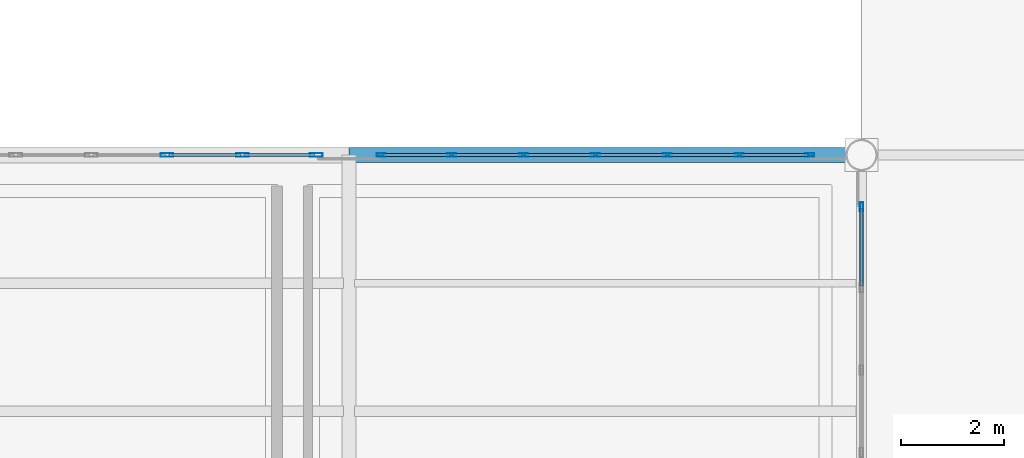
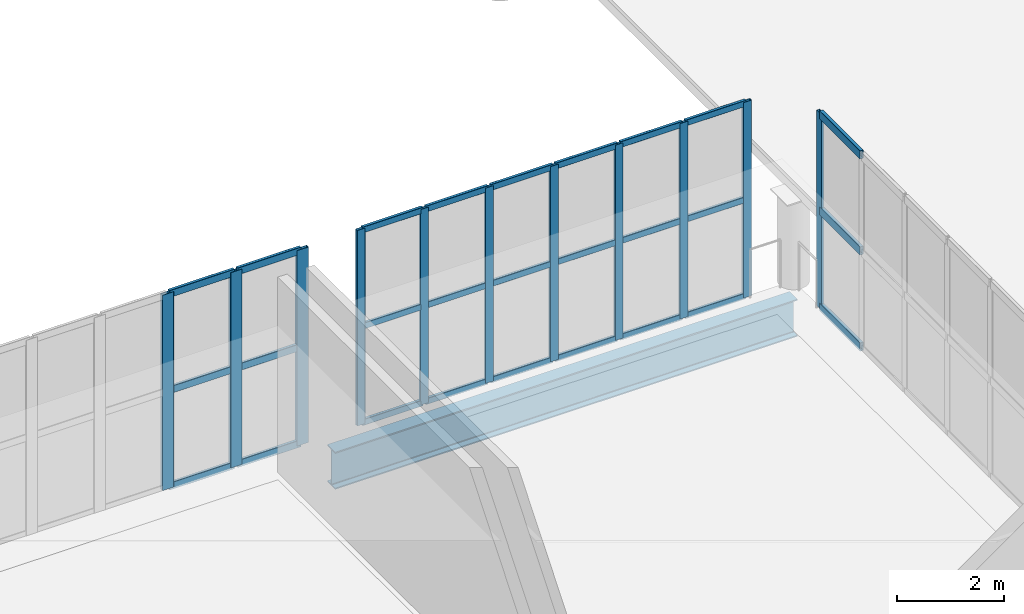
# One storey, part 85 of 136: 38 members, 1 beam, 3 elements without a shape of their own.
"""IFC4 building model written with IfcOpenShell, lengths in metres."""

from ifc_helpers import new_model, si_unit, direction, frame, origin, origin_2d, place, context, subcontext, project, spatial, hollow_rectangle, i_section, extrude, material, layer, layer_set, material_profile, profile_set, type_object, element, aggregate, save


model = new_model("IFC4")

# Units and contexts
model_context = context("Model", 3, precision=1e-05, world=origin(), true_north=direction((0.0, 1.0)))
body_context = subcontext(model_context, "Body", "Model", "MODEL_VIEW")
ifc_project = project(units=[si_unit("LENGTHUNIT", "METRE"), si_unit("AREAUNIT", "SQUARE_METRE"), si_unit("VOLUMEUNIT", "CUBIC_METRE"), si_unit("PLANEANGLEUNIT", "RADIAN"), si_unit("MASSUNIT", "GRAM", prefix="KILO")], contexts=[model_context])

# Site, building, storey
site_placement = place(None, origin())
site = spatial("IfcSite", under=ifc_project, at=site_placement, CompositionType="ELEMENT")
building_placement = place(site_placement, origin())
building = spatial("IfcBuilding", under=site, at=building_placement, Name="Brinegate Civic Arena", CompositionType="ELEMENT")
storey_placement = place(building_placement, frame((0.0, 0.0, 5.39990234375)))
storey = spatial("IfcBuildingStorey", under=building, at=storey_placement, Name="L01", CompositionType="ELEMENT", Elevation=5.39990234375)

# Curtain wall, member
ifc_material_1 = material(Name="Marine grade aluminium", Category="aluminium")
ifc_layer = layer(ifc_material_1, 0.18505859375, Name="Marine grade aluminium")
ifc_layer_set = layer_set([ifc_layer], Name="Marine grade aluminium")
curtain_wall_type = type_object("IfcCurtainWallType", Name="CW-WING-GLAZED-03", PredefinedType="USERDEFINED", material=ifc_layer_set)
curtain_wall_1_placement = place(storey_placement, origin())
curtain_wall_1 = element("IfcCurtainWall", 1, at=curtain_wall_1_placement, inside=storey, type_object=curtain_wall_type, Name="Curtain Wall CWA-038", ObjectType="GLAZED CURTAIN WALL", PredefinedType="USERDEFINED")
ifc_material_profile_1 = material_profile(ifc_material_1, hollow_rectangle(XDim=0.06494140625, YDim=0.179931640625, WallThickness=0.0048828125, InnerFilletRadius=0.00390625, OuterFilletRadius=0.008056640625, at=origin_2d()), Name="MUL65X180")
ifc_profile_set_1 = profile_set([ifc_material_profile_1], Name="Marine grade aluminium")
member_type_1 = type_object("IfcMemberType", Name="CW-MULLION-65X180", PredefinedType="MULLION", material=ifc_profile_set_1)
member_1_placement = place(storey_placement, frame((190.0, 80.986572265625, 0.0), z_axis=(0.0, 0.0, 1.0), x_axis=(-1.0, 0.0, 0.0)))
member_1 = element("IfcMember", 2, at=member_1_placement, type_object=member_type_1, Name="CWA-038 mullion 6", PredefinedType="MULLION", context=body_context, shape_type="SweptSolid", body=[
    extrude(hollow_rectangle(XDim=0.06494140625, YDim=0.179931640625, WallThickness=0.0048828125, InnerFilletRadius=0.00390625, OuterFilletRadius=0.008056640625, at=origin_2d()), origin(), (0.0, 0.0, 1.0), 4.47021484375),
])

# Curtain wall, members
curtain_wall_2_placement = place(storey_placement, origin())
curtain_wall_2 = element("IfcCurtainWall", 3, at=curtain_wall_2_placement, inside=storey, type_object=curtain_wall_type, Name="Curtain Wall CWA-042", ObjectType="GLAZED CURTAIN WALL", PredefinedType="USERDEFINED")
member_2_placement = place(storey_placement, frame((180.632568359375, 82.0, 0.0), z_axis=(0.0, 0.0, 1.0), x_axis=(0.0, 1.0, 0.0)))
member_2 = element("IfcMember", 4, at=member_2_placement, type_object=member_type_1, Name="CWA-042 mullion 1", PredefinedType="MULLION", context=body_context, shape_type="SweptSolid", body=[
    extrude(hollow_rectangle(XDim=0.06494140625, YDim=0.179931640625, WallThickness=0.0048828125, InnerFilletRadius=0.00390625, OuterFilletRadius=0.008056640625, at=origin_2d()), origin(), (0.0, 0.0, 1.0), 4.47021484375),
])
member_3_placement = place(storey_placement, frame((182.003173828125, 82.0, 0.0), z_axis=(0.0, 0.0, 1.0), x_axis=(0.0, 1.0, 0.0)))
member_3 = element("IfcMember", 5, at=member_3_placement, type_object=member_type_1, Name="CWA-042 mullion 2", PredefinedType="MULLION", context=body_context, shape_type="SweptSolid", body=[
    extrude(hollow_rectangle(XDim=0.06494140625, YDim=0.179931640625, WallThickness=0.0048828125, InnerFilletRadius=0.00390625, OuterFilletRadius=0.008056640625, at=origin_2d()), origin(), (0.0, 0.0, 1.0), 4.47021484375),
])
member_4_placement = place(storey_placement, frame((183.40625, 82.0, 0.0), z_axis=(0.0, 0.0, 1.0), x_axis=(0.0, 1.0, 0.0)))
member_4 = element("IfcMember", 6, at=member_4_placement, type_object=member_type_1, Name="CWA-042 mullion 3", PredefinedType="MULLION", context=body_context, shape_type="SweptSolid", body=[
    extrude(hollow_rectangle(XDim=0.06494140625, YDim=0.179931640625, WallThickness=0.0048828125, InnerFilletRadius=0.00390625, OuterFilletRadius=0.008056640625, at=origin_2d()), origin(), (0.0, 0.0, 1.0), 4.47021484375),
])
member_5_placement = place(storey_placement, frame((184.8095703125, 82.0, 0.0), z_axis=(0.0, 0.0, 1.0), x_axis=(0.0, 1.0, 0.0)))
member_5 = element("IfcMember", 7, at=member_5_placement, type_object=member_type_1, Name="CWA-042 mullion 4", PredefinedType="MULLION", context=body_context, shape_type="SweptSolid", body=[
    extrude(hollow_rectangle(XDim=0.06494140625, YDim=0.179931640625, WallThickness=0.0048828125, InnerFilletRadius=0.00390625, OuterFilletRadius=0.008056640625, at=origin_2d()), origin(), (0.0, 0.0, 1.0), 4.47021484375),
])
member_6_placement = place(storey_placement, frame((186.212646484375, 82.0, 0.0), z_axis=(0.0, 0.0, 1.0), x_axis=(0.0, 1.0, 0.0)))
member_6 = element("IfcMember", 8, at=member_6_placement, type_object=member_type_1, Name="CWA-042 mullion 5", PredefinedType="MULLION", context=body_context, shape_type="SweptSolid", body=[
    extrude(hollow_rectangle(XDim=0.06494140625, YDim=0.179931640625, WallThickness=0.0048828125, InnerFilletRadius=0.00390625, OuterFilletRadius=0.008056640625, at=origin_2d()), origin(), (0.0, 0.0, 1.0), 4.47021484375),
])
member_7_placement = place(storey_placement, frame((187.61572265625, 82.0, 0.0), z_axis=(0.0, 0.0, 1.0), x_axis=(0.0, 1.0, 0.0)))
member_7 = element("IfcMember", 9, at=member_7_placement, type_object=member_type_1, Name="CWA-042 mullion 6", PredefinedType="MULLION", context=body_context, shape_type="SweptSolid", body=[
    extrude(hollow_rectangle(XDim=0.06494140625, YDim=0.179931640625, WallThickness=0.0048828125, InnerFilletRadius=0.00390625, OuterFilletRadius=0.008056640625, at=origin_2d()), origin(), (0.0, 0.0, 1.0), 4.47021484375),
])
member_8_placement = place(storey_placement, frame((188.986572265625, 82.0, 0.0), z_axis=(0.0, 0.0, 1.0), x_axis=(0.0, 1.0, 0.0)))
member_8 = element("IfcMember", 10, at=member_8_placement, type_object=member_type_1, Name="CWA-042 mullion 7", PredefinedType="MULLION", context=body_context, shape_type="SweptSolid", body=[
    extrude(hollow_rectangle(XDim=0.06494140625, YDim=0.179931640625, WallThickness=0.0048828125, InnerFilletRadius=0.00390625, OuterFilletRadius=0.008056640625, at=origin_2d()), origin(), (0.0, 0.0, 1.0), 4.47021484375),
])

curtain_wall_3_placement = place(storey_placement, origin())
curtain_wall_3 = element("IfcCurtainWall", 11, at=curtain_wall_3_placement, inside=storey, type_object=curtain_wall_type, Name="Curtain Wall CWA-040", ObjectType="GLAZED CURTAIN WALL", PredefinedType="USERDEFINED")
ifc_material_profile_2 = material_profile(ifc_material_1, hollow_rectangle(XDim=0.074951171875, YDim=0.25, WallThickness=0.006103515625, InnerFilletRadius=0.00390625, OuterFilletRadius=0.008056640625, at=origin_2d()), Name="MUL75X250")
ifc_profile_set_2 = profile_set([ifc_material_profile_2], Name="Marine grade aluminium")
member_type_2 = type_object("IfcMemberType", Name="CW-MULLION-75X250", PredefinedType="MULLION", material=ifc_profile_set_2)
member_9_placement = place(storey_placement, frame((176.451416015625, 82.0, 0.0), z_axis=(0.0, 0.0, 1.0), x_axis=(0.0, 1.0, 0.0)))
member_9 = element("IfcMember", 12, at=member_9_placement, type_object=member_type_2, Name="CWA-040 mullion 6", PredefinedType="MULLION", context=body_context, shape_type="SweptSolid", body=[
    extrude(hollow_rectangle(XDim=0.074951171875, YDim=0.25, WallThickness=0.006103515625, InnerFilletRadius=0.00390625, OuterFilletRadius=0.008056640625, at=origin_2d()), origin(), (0.0, 0.0, 1.0), 4.47021484375),
])
member_10_placement = place(storey_placement, frame((177.92578125, 82.0, 0.0), z_axis=(0.0, 0.0, 1.0), x_axis=(0.0, 1.0, 0.0)))
member_10 = element("IfcMember", 13, at=member_10_placement, type_object=member_type_2, Name="CWA-040 mullion 7", PredefinedType="MULLION", context=body_context, shape_type="SweptSolid", body=[
    extrude(hollow_rectangle(XDim=0.074951171875, YDim=0.25, WallThickness=0.006103515625, InnerFilletRadius=0.00390625, OuterFilletRadius=0.008056640625, at=origin_2d()), origin(), (0.0, 0.0, 1.0), 4.47021484375),
])
member_11_placement = place(storey_placement, frame((179.362548828125, 82.0, 0.0), z_axis=(0.0, 0.0, 1.0), x_axis=(0.0, 1.0, 0.0)))
member_11 = element("IfcMember", 14, at=member_11_placement, type_object=member_type_2, Name="CWA-040 mullion 8", PredefinedType="MULLION", context=body_context, shape_type="SweptSolid", body=[
    extrude(hollow_rectangle(XDim=0.074951171875, YDim=0.25, WallThickness=0.006103515625, InnerFilletRadius=0.00390625, OuterFilletRadius=0.008056640625, at=origin_2d()), origin(), (0.0, 0.0, 1.0), 4.47021484375),
])

# Member
ifc_material_profile_3 = material_profile(ifc_material_1, hollow_rectangle(XDim=0.06494140625, YDim=0.139892578125, WallThickness=0.0048828125, InnerFilletRadius=0.00390625, OuterFilletRadius=0.008056640625, at=origin_2d()), Name="TRN65X140")
ifc_profile_set_3 = profile_set([ifc_material_profile_3], Name="Marine grade aluminium")
member_type_3 = type_object("IfcMemberType", Name="CW-TRANSOM-65X140", PredefinedType="USERDEFINED", material=ifc_profile_set_3)
member_12_placement = place(storey_placement, frame((180.6650390625, 82.0, 0.03271484375), z_axis=(1.0, 0.0, 0.0), x_axis=(0.0, 1.0, 0.0)))
member_12 = element("IfcMember", 15, at=member_12_placement, type_object=member_type_3, Name="CWA-042 transom 1.1", ObjectType="TRANSOM", PredefinedType="USERDEFINED", context=body_context, shape_type="SweptSolid", body=[
    extrude(hollow_rectangle(XDim=0.06494140625, YDim=0.139892578125, WallThickness=0.0048828125, InnerFilletRadius=0.00390625, OuterFilletRadius=0.008056640625, at=origin_2d()), origin(), (0.0, 0.0, 1.0), 1.3056640625),
])

member_13_placement = place(storey_placement, frame((180.6650390625, 82.0, 2.235107421875), z_axis=(1.0, 0.0, 0.0), x_axis=(0.0, 1.0, 0.0)))
member_13 = element("IfcMember", 16, at=member_13_placement, type_object=member_type_3, Name="CWA-042 transom 1.2", ObjectType="TRANSOM", PredefinedType="USERDEFINED", context=body_context, shape_type="SweptSolid", body=[
    extrude(hollow_rectangle(XDim=0.06494140625, YDim=0.139892578125, WallThickness=0.0048828125, InnerFilletRadius=0.00390625, OuterFilletRadius=0.008056640625, at=origin_2d()), origin(), (0.0, 0.0, 1.0), 1.3056640625),
])

member_14_placement = place(storey_placement, frame((180.6650390625, 82.0, 4.4375), z_axis=(1.0, 0.0, 0.0), x_axis=(0.0, 1.0, 0.0)))
member_14 = element("IfcMember", 17, at=member_14_placement, type_object=member_type_3, Name="CWA-042 transom 1.3", ObjectType="TRANSOM", PredefinedType="USERDEFINED", context=body_context, shape_type="SweptSolid", body=[
    extrude(hollow_rectangle(XDim=0.06494140625, YDim=0.139892578125, WallThickness=0.0048828125, InnerFilletRadius=0.00390625, OuterFilletRadius=0.008056640625, at=origin_2d()), origin(), (0.0, 0.0, 1.0), 1.3056640625),
])

member_15_placement = place(storey_placement, frame((182.03564453125, 82.0, 0.03271484375), z_axis=(1.0, 0.0, 0.0), x_axis=(0.0, 1.0, 0.0)))
member_15 = element("IfcMember", 18, at=member_15_placement, type_object=member_type_3, Name="CWA-042 transom 2.1", ObjectType="TRANSOM", PredefinedType="USERDEFINED", context=body_context, shape_type="SweptSolid", body=[
    extrude(hollow_rectangle(XDim=0.06494140625, YDim=0.139892578125, WallThickness=0.0048828125, InnerFilletRadius=0.00390625, OuterFilletRadius=0.008056640625, at=origin_2d()), origin(), (0.0, 0.0, 1.0), 1.338134765625),
])

member_16_placement = place(storey_placement, frame((182.03564453125, 82.0, 2.235107421875), z_axis=(1.0, 0.0, 0.0), x_axis=(0.0, 1.0, 0.0)))
member_16 = element("IfcMember", 19, at=member_16_placement, type_object=member_type_3, Name="CWA-042 transom 2.2", ObjectType="TRANSOM", PredefinedType="USERDEFINED", context=body_context, shape_type="SweptSolid", body=[
    extrude(hollow_rectangle(XDim=0.06494140625, YDim=0.139892578125, WallThickness=0.0048828125, InnerFilletRadius=0.00390625, OuterFilletRadius=0.008056640625, at=origin_2d()), origin(), (0.0, 0.0, 1.0), 1.338134765625),
])

member_17_placement = place(storey_placement, frame((182.03564453125, 82.0, 4.4375), z_axis=(1.0, 0.0, 0.0), x_axis=(0.0, 1.0, 0.0)))
member_17 = element("IfcMember", 20, at=member_17_placement, type_object=member_type_3, Name="CWA-042 transom 2.3", ObjectType="TRANSOM", PredefinedType="USERDEFINED", context=body_context, shape_type="SweptSolid", body=[
    extrude(hollow_rectangle(XDim=0.06494140625, YDim=0.139892578125, WallThickness=0.0048828125, InnerFilletRadius=0.00390625, OuterFilletRadius=0.008056640625, at=origin_2d()), origin(), (0.0, 0.0, 1.0), 1.338134765625),
])

member_18_placement = place(storey_placement, frame((183.438720703125, 82.0, 0.03271484375), z_axis=(1.0, 0.0, 0.0), x_axis=(0.0, 1.0, 0.0)))
member_18 = element("IfcMember", 21, at=member_18_placement, type_object=member_type_3, Name="CWA-042 transom 3.1", ObjectType="TRANSOM", PredefinedType="USERDEFINED", context=body_context, shape_type="SweptSolid", body=[
    extrude(hollow_rectangle(XDim=0.06494140625, YDim=0.139892578125, WallThickness=0.0048828125, InnerFilletRadius=0.00390625, OuterFilletRadius=0.008056640625, at=origin_2d()), origin(), (0.0, 0.0, 1.0), 1.33837890625),
])

member_19_placement = place(storey_placement, frame((183.438720703125, 82.0, 2.235107421875), z_axis=(1.0, 0.0, 0.0), x_axis=(0.0, 1.0, 0.0)))
member_19 = element("IfcMember", 22, at=member_19_placement, type_object=member_type_3, Name="CWA-042 transom 3.2", ObjectType="TRANSOM", PredefinedType="USERDEFINED", context=body_context, shape_type="SweptSolid", body=[
    extrude(hollow_rectangle(XDim=0.06494140625, YDim=0.139892578125, WallThickness=0.0048828125, InnerFilletRadius=0.00390625, OuterFilletRadius=0.008056640625, at=origin_2d()), origin(), (0.0, 0.0, 1.0), 1.33837890625),
])

member_20_placement = place(storey_placement, frame((183.438720703125, 82.0, 4.4375), z_axis=(1.0, 0.0, 0.0), x_axis=(0.0, 1.0, 0.0)))
member_20 = element("IfcMember", 23, at=member_20_placement, type_object=member_type_3, Name="CWA-042 transom 3.3", ObjectType="TRANSOM", PredefinedType="USERDEFINED", context=body_context, shape_type="SweptSolid", body=[
    extrude(hollow_rectangle(XDim=0.06494140625, YDim=0.139892578125, WallThickness=0.0048828125, InnerFilletRadius=0.00390625, OuterFilletRadius=0.008056640625, at=origin_2d()), origin(), (0.0, 0.0, 1.0), 1.33837890625),
])

member_21_placement = place(storey_placement, frame((184.842041015625, 82.0, 0.03271484375), z_axis=(1.0, 0.0, 0.0), x_axis=(0.0, 1.0, 0.0)))
member_21 = element("IfcMember", 24, at=member_21_placement, type_object=member_type_3, Name="CWA-042 transom 4.1", ObjectType="TRANSOM", PredefinedType="USERDEFINED", context=body_context, shape_type="SweptSolid", body=[
    extrude(hollow_rectangle(XDim=0.06494140625, YDim=0.139892578125, WallThickness=0.0048828125, InnerFilletRadius=0.00390625, OuterFilletRadius=0.008056640625, at=origin_2d()), origin(), (0.0, 0.0, 1.0), 1.338134765625),
])

member_22_placement = place(storey_placement, frame((184.842041015625, 82.0, 2.235107421875), z_axis=(1.0, 0.0, 0.0), x_axis=(0.0, 1.0, 0.0)))
member_22 = element("IfcMember", 25, at=member_22_placement, type_object=member_type_3, Name="CWA-042 transom 4.2", ObjectType="TRANSOM", PredefinedType="USERDEFINED", context=body_context, shape_type="SweptSolid", body=[
    extrude(hollow_rectangle(XDim=0.06494140625, YDim=0.139892578125, WallThickness=0.0048828125, InnerFilletRadius=0.00390625, OuterFilletRadius=0.008056640625, at=origin_2d()), origin(), (0.0, 0.0, 1.0), 1.338134765625),
])

member_23_placement = place(storey_placement, frame((184.842041015625, 82.0, 4.4375), z_axis=(1.0, 0.0, 0.0), x_axis=(0.0, 1.0, 0.0)))
member_23 = element("IfcMember", 26, at=member_23_placement, type_object=member_type_3, Name="CWA-042 transom 4.3", ObjectType="TRANSOM", PredefinedType="USERDEFINED", context=body_context, shape_type="SweptSolid", body=[
    extrude(hollow_rectangle(XDim=0.06494140625, YDim=0.139892578125, WallThickness=0.0048828125, InnerFilletRadius=0.00390625, OuterFilletRadius=0.008056640625, at=origin_2d()), origin(), (0.0, 0.0, 1.0), 1.338134765625),
])

member_24_placement = place(storey_placement, frame((186.2451171875, 82.0, 0.03271484375), z_axis=(1.0, 0.0, 0.0), x_axis=(0.0, 1.0, 0.0)))
member_24 = element("IfcMember", 27, at=member_24_placement, type_object=member_type_3, Name="CWA-042 transom 5.1", ObjectType="TRANSOM", PredefinedType="USERDEFINED", context=body_context, shape_type="SweptSolid", body=[
    extrude(hollow_rectangle(XDim=0.06494140625, YDim=0.139892578125, WallThickness=0.0048828125, InnerFilletRadius=0.00390625, OuterFilletRadius=0.008056640625, at=origin_2d()), origin(), (0.0, 0.0, 1.0), 1.338134765625),
])

member_25_placement = place(storey_placement, frame((186.2451171875, 82.0, 2.235107421875), z_axis=(1.0, 0.0, 0.0), x_axis=(0.0, 1.0, 0.0)))
member_25 = element("IfcMember", 28, at=member_25_placement, type_object=member_type_3, Name="CWA-042 transom 5.2", ObjectType="TRANSOM", PredefinedType="USERDEFINED", context=body_context, shape_type="SweptSolid", body=[
    extrude(hollow_rectangle(XDim=0.06494140625, YDim=0.139892578125, WallThickness=0.0048828125, InnerFilletRadius=0.00390625, OuterFilletRadius=0.008056640625, at=origin_2d()), origin(), (0.0, 0.0, 1.0), 1.338134765625),
])

member_26_placement = place(storey_placement, frame((186.2451171875, 82.0, 4.4375), z_axis=(1.0, 0.0, 0.0), x_axis=(0.0, 1.0, 0.0)))
member_26 = element("IfcMember", 29, at=member_26_placement, type_object=member_type_3, Name="CWA-042 transom 5.3", ObjectType="TRANSOM", PredefinedType="USERDEFINED", context=body_context, shape_type="SweptSolid", body=[
    extrude(hollow_rectangle(XDim=0.06494140625, YDim=0.139892578125, WallThickness=0.0048828125, InnerFilletRadius=0.00390625, OuterFilletRadius=0.008056640625, at=origin_2d()), origin(), (0.0, 0.0, 1.0), 1.338134765625),
])

member_27_placement = place(storey_placement, frame((187.6484375, 82.0, 0.03271484375), z_axis=(1.0, 0.0, 0.0), x_axis=(0.0, 1.0, 0.0)))
member_27 = element("IfcMember", 30, at=member_27_placement, type_object=member_type_3, Name="CWA-042 transom 6.1", ObjectType="TRANSOM", PredefinedType="USERDEFINED", context=body_context, shape_type="SweptSolid", body=[
    extrude(hollow_rectangle(XDim=0.06494140625, YDim=0.139892578125, WallThickness=0.0048828125, InnerFilletRadius=0.00390625, OuterFilletRadius=0.008056640625, at=origin_2d()), origin(), (0.0, 0.0, 1.0), 1.3056640625),
])

member_28_placement = place(storey_placement, frame((187.6484375, 82.0, 2.235107421875), z_axis=(1.0, 0.0, 0.0), x_axis=(0.0, 1.0, 0.0)))
member_28 = element("IfcMember", 31, at=member_28_placement, type_object=member_type_3, Name="CWA-042 transom 6.2", ObjectType="TRANSOM", PredefinedType="USERDEFINED", context=body_context, shape_type="SweptSolid", body=[
    extrude(hollow_rectangle(XDim=0.06494140625, YDim=0.139892578125, WallThickness=0.0048828125, InnerFilletRadius=0.00390625, OuterFilletRadius=0.008056640625, at=origin_2d()), origin(), (0.0, 0.0, 1.0), 1.3056640625),
])

member_29_placement = place(storey_placement, frame((187.6484375, 82.0, 4.4375), z_axis=(1.0, 0.0, 0.0), x_axis=(0.0, 1.0, 0.0)))
member_29 = element("IfcMember", 32, at=member_29_placement, type_object=member_type_3, Name="CWA-042 transom 6.3", ObjectType="TRANSOM", PredefinedType="USERDEFINED", context=body_context, shape_type="SweptSolid", body=[
    extrude(hollow_rectangle(XDim=0.06494140625, YDim=0.139892578125, WallThickness=0.0048828125, InnerFilletRadius=0.00390625, OuterFilletRadius=0.008056640625, at=origin_2d()), origin(), (0.0, 0.0, 1.0), 1.3056640625),
])

aggregate(curtain_wall_2, [member_2, member_3, member_4, member_5, member_6, member_7, member_8, member_12, member_13, member_14, member_15, member_16, member_17, member_18, member_19, member_20, member_21, member_22, member_23, member_24, member_25, member_26, member_27, member_28, member_29])

ifc_material_profile_4 = material_profile(ifc_material_1, hollow_rectangle(XDim=0.06494140625, YDim=0.1650390625, WallThickness=0.0048828125, InnerFilletRadius=0.00390625, OuterFilletRadius=0.008056640625, at=origin_2d()), Name="TRN65X165")
ifc_profile_set_4 = profile_set([ifc_material_profile_4], Name="Marine grade aluminium")
member_type_4 = type_object("IfcMemberType", Name="CW-TRANSOM-65X165", PredefinedType="USERDEFINED", material=ifc_profile_set_4)
member_30_placement = place(storey_placement, frame((176.489013671875, 82.0, 0.03271484375), z_axis=(1.0, 0.0, 0.0), x_axis=(0.0, 1.0, 0.0)))
member_30 = element("IfcMember", 33, at=member_30_placement, type_object=member_type_4, Name="CWA-040 transom 6.1", ObjectType="TRANSOM", PredefinedType="USERDEFINED", context=body_context, shape_type="SweptSolid", body=[
    extrude(hollow_rectangle(XDim=0.06494140625, YDim=0.1650390625, WallThickness=0.0048828125, InnerFilletRadius=0.00390625, OuterFilletRadius=0.008056640625, at=origin_2d()), origin(), (0.0, 0.0, 1.0), 1.399169921875),
])

member_31_placement = place(storey_placement, frame((176.489013671875, 82.0, 2.235107421875), z_axis=(1.0, 0.0, 0.0), x_axis=(0.0, 1.0, 0.0)))
member_31 = element("IfcMember", 34, at=member_31_placement, type_object=member_type_4, Name="CWA-040 transom 6.2", ObjectType="TRANSOM", PredefinedType="USERDEFINED", context=body_context, shape_type="SweptSolid", body=[
    extrude(hollow_rectangle(XDim=0.06494140625, YDim=0.1650390625, WallThickness=0.0048828125, InnerFilletRadius=0.00390625, OuterFilletRadius=0.008056640625, at=origin_2d()), origin(), (0.0, 0.0, 1.0), 1.399169921875),
])

member_32_placement = place(storey_placement, frame((176.489013671875, 82.0, 4.4375), z_axis=(1.0, 0.0, 0.0), x_axis=(0.0, 1.0, 0.0)))
member_32 = element("IfcMember", 35, at=member_32_placement, type_object=member_type_4, Name="CWA-040 transom 6.3", ObjectType="TRANSOM", PredefinedType="USERDEFINED", context=body_context, shape_type="SweptSolid", body=[
    extrude(hollow_rectangle(XDim=0.06494140625, YDim=0.1650390625, WallThickness=0.0048828125, InnerFilletRadius=0.00390625, OuterFilletRadius=0.008056640625, at=origin_2d()), origin(), (0.0, 0.0, 1.0), 1.399169921875),
])

member_33_placement = place(storey_placement, frame((177.963134765625, 82.0, 0.03271484375), z_axis=(1.0, 0.0, 0.0), x_axis=(0.0, 1.0, 0.0)))
member_33 = element("IfcMember", 36, at=member_33_placement, type_object=member_type_4, Name="CWA-040 transom 7.1", ObjectType="TRANSOM", PredefinedType="USERDEFINED", context=body_context, shape_type="SweptSolid", body=[
    extrude(hollow_rectangle(XDim=0.06494140625, YDim=0.1650390625, WallThickness=0.0048828125, InnerFilletRadius=0.00390625, OuterFilletRadius=0.008056640625, at=origin_2d()), origin(), (0.0, 0.0, 1.0), 1.36181640625),
])

member_34_placement = place(storey_placement, frame((177.963134765625, 82.0, 2.235107421875), z_axis=(1.0, 0.0, 0.0), x_axis=(0.0, 1.0, 0.0)))
member_34 = element("IfcMember", 37, at=member_34_placement, type_object=member_type_4, Name="CWA-040 transom 7.2", ObjectType="TRANSOM", PredefinedType="USERDEFINED", context=body_context, shape_type="SweptSolid", body=[
    extrude(hollow_rectangle(XDim=0.06494140625, YDim=0.1650390625, WallThickness=0.0048828125, InnerFilletRadius=0.00390625, OuterFilletRadius=0.008056640625, at=origin_2d()), origin(), (0.0, 0.0, 1.0), 1.36181640625),
])

member_35_placement = place(storey_placement, frame((177.963134765625, 82.0, 4.4375), z_axis=(1.0, 0.0, 0.0), x_axis=(0.0, 1.0, 0.0)))
member_35 = element("IfcMember", 38, at=member_35_placement, type_object=member_type_4, Name="CWA-040 transom 7.3", ObjectType="TRANSOM", PredefinedType="USERDEFINED", context=body_context, shape_type="SweptSolid", body=[
    extrude(hollow_rectangle(XDim=0.06494140625, YDim=0.1650390625, WallThickness=0.0048828125, InnerFilletRadius=0.00390625, OuterFilletRadius=0.008056640625, at=origin_2d()), origin(), (0.0, 0.0, 1.0), 1.36181640625),
])

aggregate(curtain_wall_3, [member_9, member_10, member_11, member_30, member_31, member_32, member_33, member_34, member_35])

ifc_material_profile_5 = material_profile(ifc_material_1, hollow_rectangle(XDim=0.074951171875, YDim=0.18994140625, WallThickness=0.006103515625, InnerFilletRadius=0.00390625, OuterFilletRadius=0.008056640625, at=origin_2d()), Name="TRN75X190")
ifc_profile_set_5 = profile_set([ifc_material_profile_5], Name="Marine grade aluminium")
member_type_5 = type_object("IfcMemberType", Name="CW-TRANSOM-75X190", PredefinedType="USERDEFINED", material=ifc_profile_set_5)
member_36_placement = place(storey_placement, frame((190.0, 79.4423828125, 0.03759765625), z_axis=(0.0, 1.0, 0.0), x_axis=(-1.0, 0.0, 0.0)))
member_36 = element("IfcMember", 39, at=member_36_placement, type_object=member_type_5, Name="CWA-038 transom 5.1", ObjectType="TRANSOM", PredefinedType="USERDEFINED", context=body_context, shape_type="SweptSolid", body=[
    extrude(hollow_rectangle(XDim=0.074951171875, YDim=0.18994140625, WallThickness=0.006103515625, InnerFilletRadius=0.00390625, OuterFilletRadius=0.008056640625, at=origin_2d()), origin(), (0.0, 0.0, 1.0), 1.51171875),
])

member_37_placement = place(storey_placement, frame((190.0, 79.4423828125, 2.235107421875), z_axis=(0.0, 1.0, 0.0), x_axis=(-1.0, 0.0, 0.0)))
member_37 = element("IfcMember", 40, at=member_37_placement, type_object=member_type_5, Name="CWA-038 transom 5.2", ObjectType="TRANSOM", PredefinedType="USERDEFINED", context=body_context, shape_type="SweptSolid", body=[
    extrude(hollow_rectangle(XDim=0.074951171875, YDim=0.18994140625, WallThickness=0.006103515625, InnerFilletRadius=0.00390625, OuterFilletRadius=0.008056640625, at=origin_2d()), origin(), (0.0, 0.0, 1.0), 1.51171875),
])

member_38_placement = place(storey_placement, frame((190.0, 79.4423828125, 4.4326171875), z_axis=(0.0, 1.0, 0.0), x_axis=(-1.0, 0.0, 0.0)))
member_38 = element("IfcMember", 41, at=member_38_placement, type_object=member_type_5, Name="CWA-038 transom 5.3", ObjectType="TRANSOM", PredefinedType="USERDEFINED", context=body_context, shape_type="SweptSolid", body=[
    extrude(hollow_rectangle(XDim=0.074951171875, YDim=0.18994140625, WallThickness=0.006103515625, InnerFilletRadius=0.00390625, OuterFilletRadius=0.008056640625, at=origin_2d()), origin(), (0.0, 0.0, 1.0), 1.51171875),
])

aggregate(curtain_wall_1, [member_1, member_36, member_37, member_38])

# Beam
ifc_material_2 = material(Name="Steel S355", Category="steel")
ifc_material_profile_6 = material_profile(ifc_material_2, i_section(OverallWidth=0.2939453125, OverallDepth=0.85107421875, WebThickness=0.01611328125, FlangeThickness=0.027099609375, FilletRadius=0.02197265625, at=origin_2d()), Name="W840X226")
ifc_profile_set_6 = profile_set([ifc_material_profile_6], Name="Steel S355")
beam_type = type_object("IfcBeamType", Name="GIRDER-W840X226", PredefinedType="BEAM", material=ifc_profile_set_6)
beam_placement = place(storey_placement, frame((180.0, 82.0, -0.764892578125), z_axis=(1.0, 0.0, 0.0), x_axis=(0.0, 1.0, 0.0)))
element("IfcBeam", 42, at=beam_placement, inside=storey, type_object=beam_type, Name="Floor Girder BM-L01-GX-15-08", PredefinedType="BEAM", context=body_context, shape_type="SweptSolid", body=[
    extrude(i_section(OverallWidth=0.2939453125, OverallDepth=0.85107421875, WebThickness=0.01611328125, FlangeThickness=0.027099609375, FilletRadius=0.02197265625, at=origin_2d()), origin(), (0.0, 0.0, 1.0), 10.0),
])

save(model, "model.ifc")
